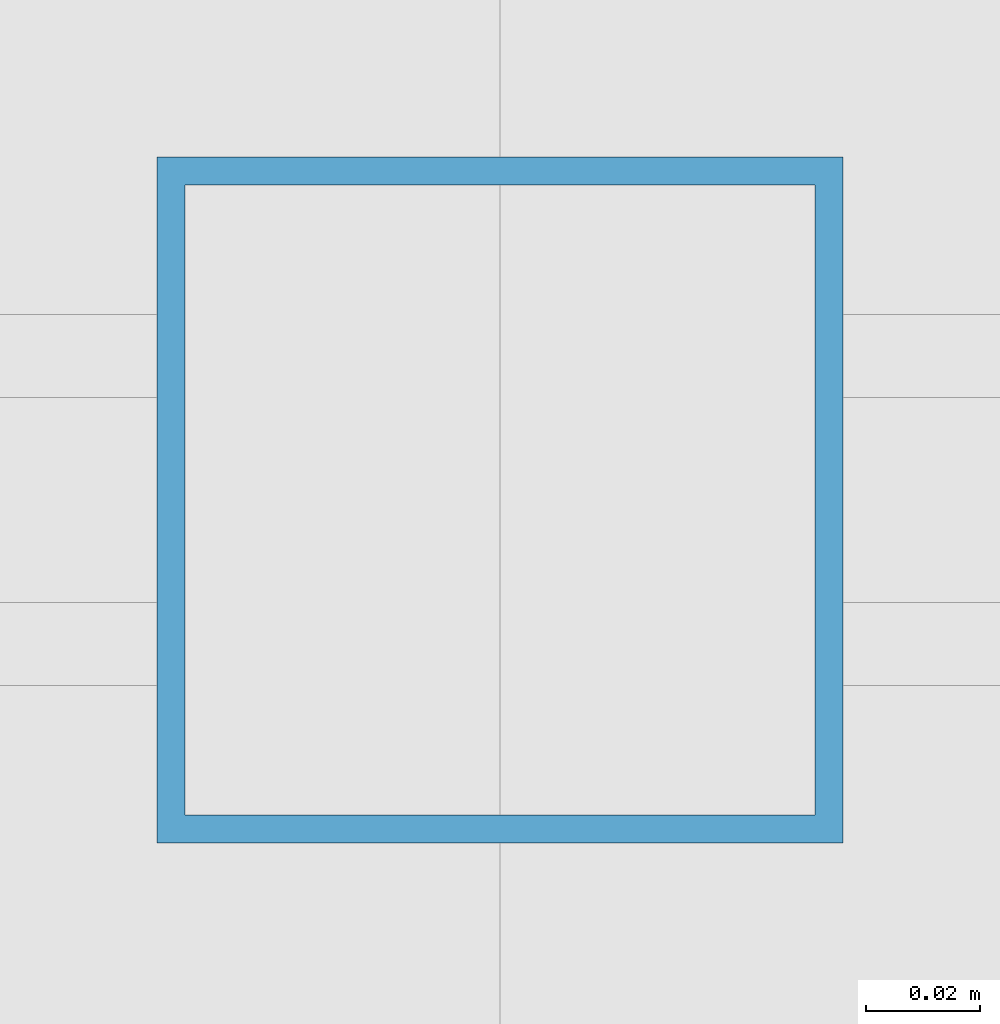
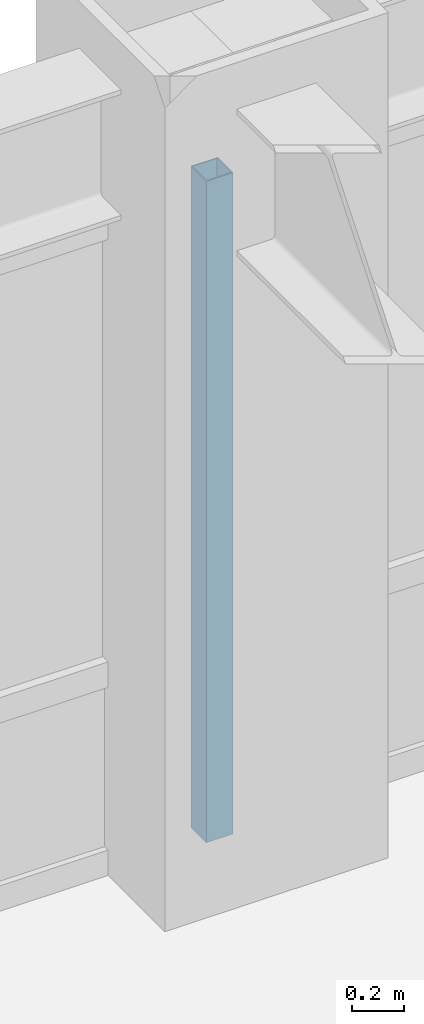
# One storey, part 16 of 24: 1 member, 1 element without a shape of its own.
"""IFC4 building model written with IfcOpenShell, lengths in metres."""

import ifcopenshell
import ifcopenshell.guid

model = None  # the IFC model being written
_history = None  # IfcOwnerHistory: only IFC2X3 demands one
_inside = {}  # id of a spatial element -> (the spatial element, [elements in it])
_under = {}  # id of a project, library or spatial element -> (it, [spatial elements below it])
_declared = {}  # id of a project -> (the project, [libraries it declares])
_typed = {}  # id of a type object -> (the type object, [elements of that type])
_made_of = {}  # id of a material, layer set ... -> (it, [elements and type objects made of it])


def new_model(schema):
    """Start an empty IFC model of exactly this schema.

    Asked for "IFC4X3", IfcOpenShell would pick the latest addendum, in which some entities
    have other attributes; the version numbers below select the first issue.
    IFC2X3 requires an IfcOwnerHistory on every rooted entity: one is made here for all.
    """
    global model, _history
    if schema == "IFC4X3":
        model = ifcopenshell.file(schema_version=(4, 3, 0, 0))
    else:
        model = ifcopenshell.file(schema=schema)
    _inside.clear()
    _under.clear()
    _declared.clear()
    _typed.clear()
    _made_of.clear()
    _history = None
    if model.schema == "IFC2X3":
        org = make("IfcOrganization", Name="unknown")
        user = make(
            "IfcPersonAndOrganization",
            ThePerson=make("IfcPerson", FamilyName="unknown"),
            TheOrganization=org,
        )
        app = make(
            "IfcApplication",
            ApplicationDeveloper=org,
            Version="unknown",
            ApplicationFullName="unknown",
            ApplicationIdentifier="unknown",
        )
        _history = make(
            "IfcOwnerHistory",
            OwningUser=user,
            OwningApplication=app,
            ChangeAction="ADDED",
            CreationDate=0,
        )
    return model


def make(cls, **values):
    """One entity of the class cls with the attributes given. An attribute that is None is left unset."""
    return model.create_entity(
        cls, **{name: value for name, value in values.items() if value is not None}
    )


def rooted(cls, **values):
    """An entity with a GlobalId (a new one), such as an element, a storey or a relation."""
    return make(cls, GlobalId=ifcopenshell.guid.new(), OwnerHistory=_history, **values)


def si_unit(unit_type, name, prefix=None):
    """IfcSIUnit, for example si_unit("LENGTHUNIT", "METRE", prefix="MILLI")."""
    return make("IfcSIUnit", UnitType=unit_type, Prefix=prefix, Name=name)


def assignment(units):
    """IfcUnitAssignment: the units of a project."""
    return None if units is None else make("IfcUnitAssignment", Units=units)


def point(xyz):
    """IfcCartesianPoint."""
    return None if xyz is None else make("IfcCartesianPoint", Coordinates=xyz)


def direction(xyz):
    """IfcDirection."""
    return None if xyz is None else make("IfcDirection", DirectionRatios=xyz)


def frame(location, z_axis=None, x_axis=None):
    """IfcAxis2Placement3D, a coordinate frame: its origin and axes. An axis left out is left unset."""
    return make(
        "IfcAxis2Placement3D",
        Location=point(location),
        Axis=direction(z_axis),
        RefDirection=direction(x_axis),
    )


def frame_2d(location, x_axis=None):
    """IfcAxis2Placement2D, a coordinate frame in the plane: its origin and x axis."""
    return make(
        "IfcAxis2Placement2D", Location=point(location), RefDirection=direction(x_axis)
    )


def origin():
    """The frame at (0, 0, 0) with its axes left unset."""
    return frame((0.0, 0.0, 0.0))


def origin_2d():
    """The frame at (0, 0) in the plane with its x axis left unset."""
    return frame_2d((0.0, 0.0))


def place(relative_to, where):
    """IfcLocalPlacement: puts the frame where relative to a parent placement (None: the world)."""
    return make(
        "IfcLocalPlacement", PlacementRelTo=relative_to, RelativePlacement=where
    )


def context(
    kind, dimensions, precision=None, world=None, true_north=None, identifier=None
):
    """IfcGeometricRepresentationContext, for example the 3D "Model" context."""
    return make(
        "IfcGeometricRepresentationContext",
        ContextIdentifier=identifier,
        ContextType=kind,
        CoordinateSpaceDimension=dimensions,
        Precision=precision,
        WorldCoordinateSystem=world,
        TrueNorth=true_north,
    )


def subcontext(parent, identifier, kind, view, scale=None):
    """IfcGeometricRepresentationSubContext, for example "Body" below "Model"."""
    return make(
        "IfcGeometricRepresentationSubContext",
        ContextIdentifier=identifier,
        ContextType=kind,
        ParentContext=parent,
        TargetScale=scale,
        TargetView=view,
    )


def project(units=None, contexts=None):
    """IfcProject with its units and contexts."""
    return rooted(
        "IfcProject",
        Name="project",
        RepresentationContexts=contexts,
        UnitsInContext=assignment(units),
    )


def spatial(cls, under=None, at=None, **own):
    """A site, building, storey or space (cls), placed at a placement, below another one or the project."""
    s = rooted(cls, ObjectPlacement=at, **own)
    if under is not None:
        _under.setdefault(under.id(), (under, []))[1].append(s)
    return s


def profile(cls, at=None, kind="AREA", **sizes):
    """A parametric profile (cls). Its sizes go by their IFC names, for example OverallWidth=200.0."""
    return make(cls, ProfileType=kind, Position=at, **sizes)


def hollow_rectangle(**sizes):
    """IfcRectangleHollowProfileDef."""
    return profile("IfcRectangleHollowProfileDef", **sizes)


def extrude(swept, where, along, depth):
    """IfcExtrudedAreaSolid: the profile swept, set in the frame where, extruded along a direction by depth."""
    return make(
        "IfcExtrudedAreaSolid",
        SweptArea=swept,
        Position=where,
        ExtrudedDirection=direction(along),
        Depth=depth,
    )


def shape(context_of_items, identifier, shape_type, items):
    """IfcShapeRepresentation: the items that make up one representation, for example the "Body"."""
    return make(
        "IfcShapeRepresentation",
        ContextOfItems=context_of_items,
        RepresentationIdentifier=identifier,
        RepresentationType=shape_type,
        Items=items,
    )


def source(mapping_origin, context_of_items, identifier, shape_type, items):
    """IfcRepresentationMap: a shape defined once, which mapped items show again and again."""
    return make(
        "IfcRepresentationMap",
        MappingOrigin=mapping_origin,
        MappedRepresentation=shape(context_of_items, identifier, shape_type, items),
    )


def transform(
    local_origin,
    x_axis=None,
    y_axis=None,
    z_axis=None,
    scale=None,
    scale2=None,
    scale3=None,
    uniform=True,
):
    """IfcCartesianTransformationOperator3D, or its non-uniform kind. x_axis, y_axis, z_axis: its Axis1, 2, 3."""
    if uniform:
        return make(
            "IfcCartesianTransformationOperator3D",
            Axis1=direction(x_axis),
            Axis2=direction(y_axis),
            LocalOrigin=point(local_origin),
            Scale=scale,
            Axis3=direction(z_axis),
        )
    return make(
        "IfcCartesianTransformationOperator3DnonUniform",
        Axis1=direction(x_axis),
        Axis2=direction(y_axis),
        LocalOrigin=point(local_origin),
        Scale=scale,
        Axis3=direction(z_axis),
        Scale2=scale2,
        Scale3=scale3,
    )


def mapped(mapping_source, mapping_target):
    """IfcMappedItem: shows the shape of a source again, moved by a transform."""
    return make(
        "IfcMappedItem", MappingSource=mapping_source, MappingTarget=mapping_target
    )


def material(Name=None, Category=None):
    """IfcMaterial."""
    return make("IfcMaterial", Name=Name, Category=Category)


def material_profile(
    of_material, cross_section, Name=None, Category=None, Priority=None
):
    """IfcMaterialProfile: a cross section and its material."""
    return make(
        "IfcMaterialProfile",
        Name=Name,
        Material=of_material,
        Profile=cross_section,
        Priority=Priority,
        Category=Category,
    )


def profile_set(profiles, Name=None, composite=None):
    """IfcMaterialProfileSet."""
    return make(
        "IfcMaterialProfileSet",
        Name=Name,
        MaterialProfiles=profiles,
        CompositeProfile=composite,
    )


def made_of(thing, what):
    """Note that an element or type object is made of a material, layer set ...; save() writes the relation."""
    if what is not None:
        _made_of.setdefault(what.id(), (what, []))[1].append(thing)
    return thing


def type_object(cls, material=None, **own):
    """A type object (cls), such as IfcWallType, which elements share."""
    return made_of(rooted(cls, **own), material)


def element(
    cls,
    number,
    at=None,
    inside=None,
    cuts=None,
    type_object=None,
    material=None,
    context=None,
    identifier="Body",
    shape_type=None,
    held_by="IfcProductDefinitionShape",
    body=None,
    shapes=None,
    **own,
):
    """One element of the class cls, such as IfcWall. Its Tag is "e" and its number.

    at: its placement. inside: the storey or other place that contains it. cuts: it is an
    opening in that element (IfcRelVoidsElement). A single representation is given by context,
    identifier, shape_type and body (its items); several are given by shapes. held_by: the class
    of the entity that holds the representations. save() writes the other relations.
    """
    e = rooted(cls, Tag="e%d" % number, ObjectPlacement=at, **own)
    if body is not None:
        shapes = [shape(context, identifier, shape_type, body)]
    if shapes is not None:
        e.Representation = make(held_by, Representations=shapes)
    if inside is not None:
        _inside.setdefault(inside.id(), (inside, []))[1].append(e)
    if cuts is not None:
        rooted(
            "IfcRelVoidsElement", RelatingBuildingElement=cuts, RelatedOpeningElement=e
        )
    if type_object is not None:
        _typed.setdefault(type_object.id(), (type_object, []))[1].append(e)
    return made_of(e, material)


def aggregate(whole, parts):
    """IfcRelAggregates: a whole, such as a stair, and the parts it consists of."""
    return rooted("IfcRelAggregates", RelatingObject=whole, RelatedObjects=parts)


def save(model, path):
    """Write the relations noted so far, then the file.

    IfcRelAggregates (storeys below a building ...), IfcRelContainedInSpatialStructure (elements
    in a storey), IfcRelDefinesByType, IfcRelAssociatesMaterial and IfcRelDeclares: one each for
    every whole, place, type object, material and project.
    """
    for whole, parts in _under.values():
        aggregate(whole, parts)
    for where, things in _inside.values():
        rooted(
            "IfcRelContainedInSpatialStructure",
            RelatedElements=things,
            RelatingStructure=where,
        )
    for kind, things in _typed.values():
        rooted("IfcRelDefinesByType", RelatedObjects=things, RelatingType=kind)
    for what, things in _made_of.values():
        rooted("IfcRelAssociatesMaterial", RelatedObjects=things, RelatingMaterial=what)
    for by, libraries in _declared.values():
        rooted("IfcRelDeclares", RelatingContext=by, RelatedDefinitions=libraries)
    model.write(path)


model = new_model("IFC4")

# Units and contexts
model_context = context("Model", 3, precision=1e-05, world=origin(), true_north=direction((0.0, 1.0)))
body_context = subcontext(model_context, "Body", "Model", "MODEL_VIEW")
ifc_project = project(units=[si_unit("LENGTHUNIT", "METRE"), si_unit("AREAUNIT", "SQUARE_METRE"), si_unit("VOLUMEUNIT", "CUBIC_METRE"), si_unit("PLANEANGLEUNIT", "RADIAN"), si_unit("MASSUNIT", "GRAM", prefix="KILO")], contexts=[model_context])

# Site, building, storey
site_placement = place(None, origin())
site = spatial("IfcSite", under=ifc_project, at=site_placement, CompositionType="ELEMENT")
building_placement = place(site_placement, origin())
building = spatial("IfcBuilding", under=site, at=building_placement, Name="Khorayat Bourse Tower", CompositionType="ELEMENT")
storey_placement = place(building_placement, frame((0.0, 0.0, 211.10009765625)))
storey = spatial("IfcBuildingStorey", under=building, at=storey_placement, Name="L49", CompositionType="ELEMENT", Elevation=211.10009765625)

# Curtain wall, member
ifc_material = material(Name="Aluminium EN AW-6063 T6", Category="aluminium")
curtain_wall_type = type_object("IfcCurtainWallType", Name="CW-SYS-03", PredefinedType="NOTDEFINED", material=ifc_material)
curtain_wall_placement = place(storey_placement, origin())
curtain_wall = element("IfcCurtainWall", 1, at=curtain_wall_placement, inside=storey, type_object=curtain_wall_type, Name="L49 Curtain Wall CW-L49-N1", PredefinedType="NOTDEFINED")
ifc_material_profile = material_profile(ifc_material, hollow_rectangle(XDim=0.1201171875, YDim=0.1201171875, WallThickness=0.0048828125, at=origin_2d()), Name="ALU 120x120x5")
ifc_profile_set = profile_set([ifc_material_profile], Name="Aluminium EN AW-6063 T6")
member_type = type_object("IfcMemberType", Name="CWM-VERT-120", PredefinedType="MULLION", material=ifc_profile_set)
shared_shape = source(origin(), body_context, "Body", "SweptSolid", [
    extrude(hollow_rectangle(XDim=0.1201171875, YDim=0.1201171875, WallThickness=0.0048828125, at=origin_2d()), origin(), (0.0, 0.0, 1.0), 3.1298828125),
])
member_placement = place(storey_placement, frame((0.0, 30.0, 0.0), z_axis=(0.0, 0.0, 1.0), x_axis=(0.0, 1.0, 0.0)))
member = element("IfcMember", 2, at=member_placement, type_object=member_type, Name="CW-L49-N1 Vertical Mullion 2", PredefinedType="MULLION", context=body_context, shape_type="MappedRepresentation", body=[
    mapped(shared_shape, transform((0.0, 0.0, 0.0), scale=1.0)),
])
aggregate(curtain_wall, [member])

save(model, "model.ifc")
